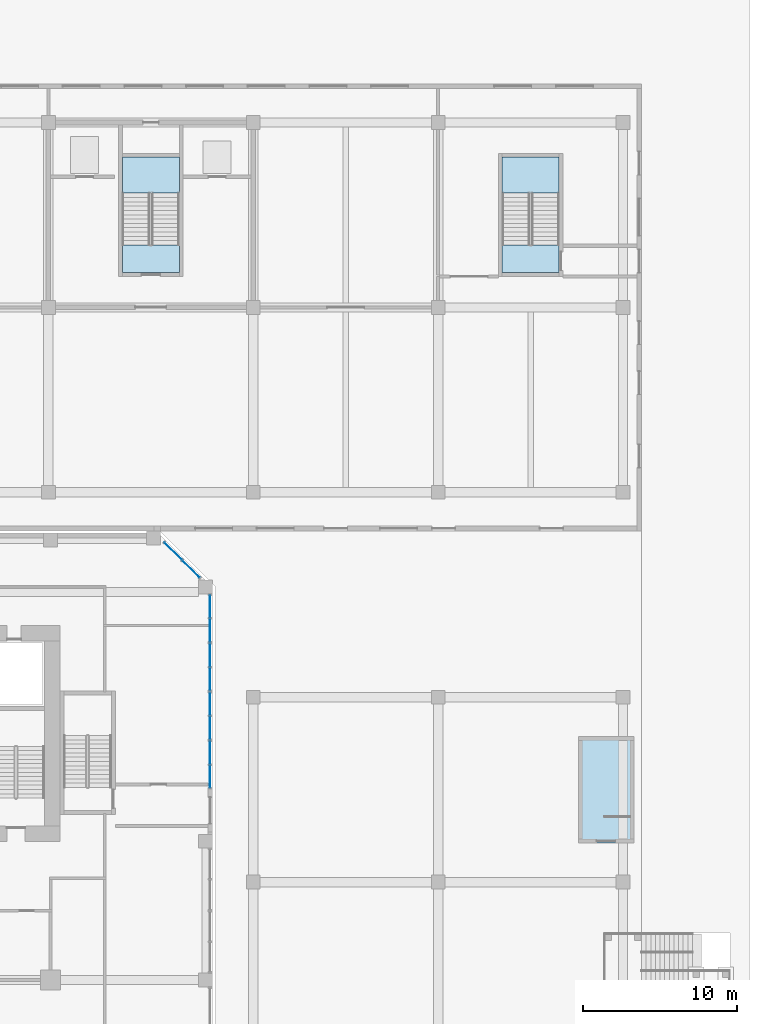
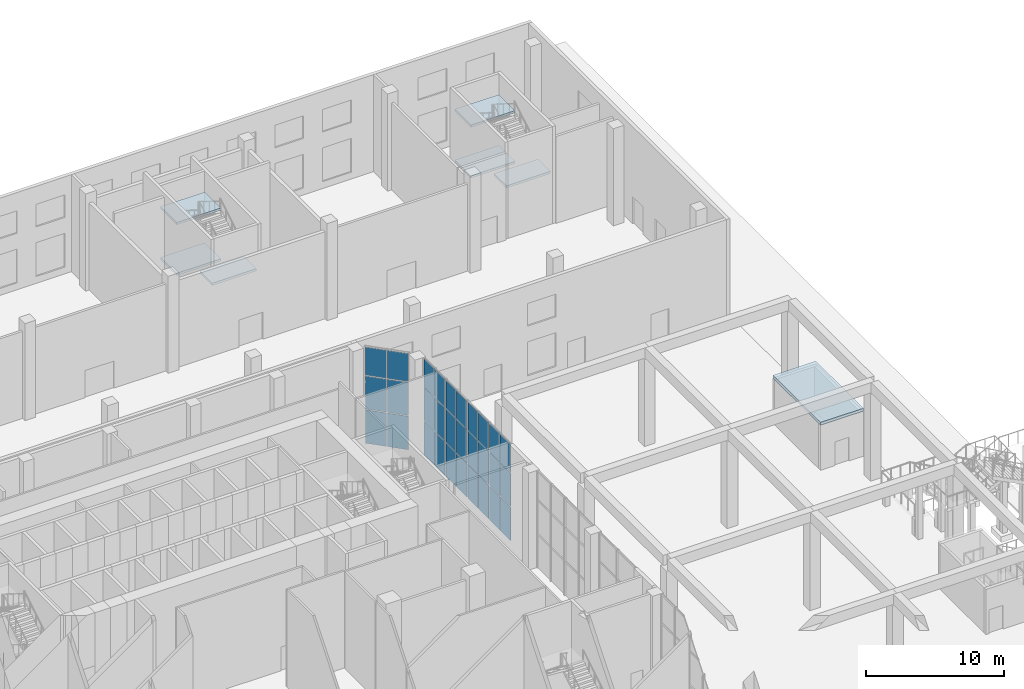
# One storey, part 17 of 43: 30 plates, 7 slabs, 7 elements without a shape of their own.
"""IFC4 building model written with IfcOpenShell, lengths in metres."""

import ifcopenshell
import ifcopenshell.guid

model = None  # the IFC model being written
_history = None  # IfcOwnerHistory: only IFC2X3 demands one
_inside = {}  # id of a spatial element -> (the spatial element, [elements in it])
_under = {}  # id of a project, library or spatial element -> (it, [spatial elements below it])
_declared = {}  # id of a project -> (the project, [libraries it declares])
_typed = {}  # id of a type object -> (the type object, [elements of that type])
_made_of = {}  # id of a material, layer set ... -> (it, [elements and type objects made of it])


def new_model(schema):
    """Start an empty IFC model of exactly this schema.

    Asked for "IFC4X3", IfcOpenShell would pick the latest addendum, in which some entities
    have other attributes; the version numbers below select the first issue.
    IFC2X3 requires an IfcOwnerHistory on every rooted entity: one is made here for all.
    """
    global model, _history
    if schema == "IFC4X3":
        model = ifcopenshell.file(schema_version=(4, 3, 0, 0))
    else:
        model = ifcopenshell.file(schema=schema)
    _inside.clear()
    _under.clear()
    _declared.clear()
    _typed.clear()
    _made_of.clear()
    _history = None
    if model.schema == "IFC2X3":
        org = make("IfcOrganization", Name="unknown")
        user = make(
            "IfcPersonAndOrganization",
            ThePerson=make("IfcPerson", FamilyName="unknown"),
            TheOrganization=org,
        )
        app = make(
            "IfcApplication",
            ApplicationDeveloper=org,
            Version="unknown",
            ApplicationFullName="unknown",
            ApplicationIdentifier="unknown",
        )
        _history = make(
            "IfcOwnerHistory",
            OwningUser=user,
            OwningApplication=app,
            ChangeAction="ADDED",
            CreationDate=0,
        )
    return model


def make(cls, **values):
    """One entity of the class cls with the attributes given. An attribute that is None is left unset."""
    return model.create_entity(
        cls, **{name: value for name, value in values.items() if value is not None}
    )


def rooted(cls, **values):
    """An entity with a GlobalId (a new one), such as an element, a storey or a relation."""
    return make(cls, GlobalId=ifcopenshell.guid.new(), OwnerHistory=_history, **values)


def si_unit(unit_type, name, prefix=None):
    """IfcSIUnit, for example si_unit("LENGTHUNIT", "METRE", prefix="MILLI")."""
    return make("IfcSIUnit", UnitType=unit_type, Prefix=prefix, Name=name)


def assignment(units):
    """IfcUnitAssignment: the units of a project."""
    return None if units is None else make("IfcUnitAssignment", Units=units)


def point(xyz):
    """IfcCartesianPoint."""
    return None if xyz is None else make("IfcCartesianPoint", Coordinates=xyz)


def direction(xyz):
    """IfcDirection."""
    return None if xyz is None else make("IfcDirection", DirectionRatios=xyz)


def frame(location, z_axis=None, x_axis=None):
    """IfcAxis2Placement3D, a coordinate frame: its origin and axes. An axis left out is left unset."""
    return make(
        "IfcAxis2Placement3D",
        Location=point(location),
        Axis=direction(z_axis),
        RefDirection=direction(x_axis),
    )


def frame_2d(location, x_axis=None):
    """IfcAxis2Placement2D, a coordinate frame in the plane: its origin and x axis."""
    return make(
        "IfcAxis2Placement2D", Location=point(location), RefDirection=direction(x_axis)
    )


def origin():
    """The frame at (0, 0, 0) with its axes left unset."""
    return frame((0.0, 0.0, 0.0))


def origin_2d():
    """The frame at (0, 0) in the plane with its x axis left unset."""
    return frame_2d((0.0, 0.0))


def place(relative_to, where):
    """IfcLocalPlacement: puts the frame where relative to a parent placement (None: the world)."""
    return make(
        "IfcLocalPlacement", PlacementRelTo=relative_to, RelativePlacement=where
    )


def context(
    kind, dimensions, precision=None, world=None, true_north=None, identifier=None
):
    """IfcGeometricRepresentationContext, for example the 3D "Model" context."""
    return make(
        "IfcGeometricRepresentationContext",
        ContextIdentifier=identifier,
        ContextType=kind,
        CoordinateSpaceDimension=dimensions,
        Precision=precision,
        WorldCoordinateSystem=world,
        TrueNorth=true_north,
    )


def subcontext(parent, identifier, kind, view, scale=None):
    """IfcGeometricRepresentationSubContext, for example "Body" below "Model"."""
    return make(
        "IfcGeometricRepresentationSubContext",
        ContextIdentifier=identifier,
        ContextType=kind,
        ParentContext=parent,
        TargetScale=scale,
        TargetView=view,
    )


def project(units=None, contexts=None):
    """IfcProject with its units and contexts."""
    return rooted(
        "IfcProject",
        Name="project",
        RepresentationContexts=contexts,
        UnitsInContext=assignment(units),
    )


def spatial(cls, under=None, at=None, **own):
    """A site, building, storey or space (cls), placed at a placement, below another one or the project."""
    s = rooted(cls, ObjectPlacement=at, **own)
    if under is not None:
        _under.setdefault(under.id(), (under, []))[1].append(s)
    return s


def polyline(points):
    """IfcPolyline through the points."""
    return make("IfcPolyline", Points=[point(p) for p in points])


def profile(cls, at=None, kind="AREA", **sizes):
    """A parametric profile (cls). Its sizes go by their IFC names, for example OverallWidth=200.0."""
    return make(cls, ProfileType=kind, Position=at, **sizes)


def rectangle(**sizes):
    """IfcRectangleProfileDef."""
    return profile("IfcRectangleProfileDef", **sizes)


def outline(outer, holes=None, kind="AREA"):
    """IfcArbitraryClosedProfileDef: a profile drawn as a closed curve; with holes, ...WithVoids."""
    if holes is None:
        return make("IfcArbitraryClosedProfileDef", ProfileType=kind, OuterCurve=outer)
    return make(
        "IfcArbitraryProfileDefWithVoids",
        ProfileType=kind,
        OuterCurve=outer,
        InnerCurves=holes,
    )


def extrude(swept, where, along, depth):
    """IfcExtrudedAreaSolid: the profile swept, set in the frame where, extruded along a direction by depth."""
    return make(
        "IfcExtrudedAreaSolid",
        SweptArea=swept,
        Position=where,
        ExtrudedDirection=direction(along),
        Depth=depth,
    )


def shape(context_of_items, identifier, shape_type, items):
    """IfcShapeRepresentation: the items that make up one representation, for example the "Body"."""
    return make(
        "IfcShapeRepresentation",
        ContextOfItems=context_of_items,
        RepresentationIdentifier=identifier,
        RepresentationType=shape_type,
        Items=items,
    )


def source(mapping_origin, context_of_items, identifier, shape_type, items):
    """IfcRepresentationMap: a shape defined once, which mapped items show again and again."""
    return make(
        "IfcRepresentationMap",
        MappingOrigin=mapping_origin,
        MappedRepresentation=shape(context_of_items, identifier, shape_type, items),
    )


def transform(
    local_origin,
    x_axis=None,
    y_axis=None,
    z_axis=None,
    scale=None,
    scale2=None,
    scale3=None,
    uniform=True,
):
    """IfcCartesianTransformationOperator3D, or its non-uniform kind. x_axis, y_axis, z_axis: its Axis1, 2, 3."""
    if uniform:
        return make(
            "IfcCartesianTransformationOperator3D",
            Axis1=direction(x_axis),
            Axis2=direction(y_axis),
            LocalOrigin=point(local_origin),
            Scale=scale,
            Axis3=direction(z_axis),
        )
    return make(
        "IfcCartesianTransformationOperator3DnonUniform",
        Axis1=direction(x_axis),
        Axis2=direction(y_axis),
        LocalOrigin=point(local_origin),
        Scale=scale,
        Axis3=direction(z_axis),
        Scale2=scale2,
        Scale3=scale3,
    )


def mapped(mapping_source, mapping_target):
    """IfcMappedItem: shows the shape of a source again, moved by a transform."""
    return make(
        "IfcMappedItem", MappingSource=mapping_source, MappingTarget=mapping_target
    )


def material(Name=None, Category=None):
    """IfcMaterial."""
    return make("IfcMaterial", Name=Name, Category=Category)


def layer(
    of_material, thickness, ventilated=None, Name=None, Category=None, Priority=None
):
    """IfcMaterialLayer: one layer of a wall or slab, of a material (None: an air gap)."""
    return make(
        "IfcMaterialLayer",
        Material=of_material,
        LayerThickness=thickness,
        IsVentilated=ventilated,
        Name=Name,
        Category=Category,
        Priority=Priority,
    )


def layer_set(layers, Name=None):
    """IfcMaterialLayerSet."""
    return make("IfcMaterialLayerSet", MaterialLayers=layers, LayerSetName=Name)


def made_of(thing, what):
    """Note that an element or type object is made of a material, layer set ...; save() writes the relation."""
    if what is not None:
        _made_of.setdefault(what.id(), (what, []))[1].append(thing)
    return thing


def type_object(cls, material=None, **own):
    """A type object (cls), such as IfcWallType, which elements share."""
    return made_of(rooted(cls, **own), material)


def element(
    cls,
    number,
    at=None,
    inside=None,
    cuts=None,
    type_object=None,
    material=None,
    context=None,
    identifier="Body",
    shape_type=None,
    held_by="IfcProductDefinitionShape",
    body=None,
    shapes=None,
    **own,
):
    """One element of the class cls, such as IfcWall. Its Tag is "e" and its number.

    at: its placement. inside: the storey or other place that contains it. cuts: it is an
    opening in that element (IfcRelVoidsElement). A single representation is given by context,
    identifier, shape_type and body (its items); several are given by shapes. held_by: the class
    of the entity that holds the representations. save() writes the other relations.
    """
    e = rooted(cls, Tag="e%d" % number, ObjectPlacement=at, **own)
    if body is not None:
        shapes = [shape(context, identifier, shape_type, body)]
    if shapes is not None:
        e.Representation = make(held_by, Representations=shapes)
    if inside is not None:
        _inside.setdefault(inside.id(), (inside, []))[1].append(e)
    if cuts is not None:
        rooted(
            "IfcRelVoidsElement", RelatingBuildingElement=cuts, RelatedOpeningElement=e
        )
    if type_object is not None:
        _typed.setdefault(type_object.id(), (type_object, []))[1].append(e)
    return made_of(e, material)


def aggregate(whole, parts):
    """IfcRelAggregates: a whole, such as a stair, and the parts it consists of."""
    return rooted("IfcRelAggregates", RelatingObject=whole, RelatedObjects=parts)


def save(model, path):
    """Write the relations noted so far, then the file.

    IfcRelAggregates (storeys below a building ...), IfcRelContainedInSpatialStructure (elements
    in a storey), IfcRelDefinesByType, IfcRelAssociatesMaterial and IfcRelDeclares: one each for
    every whole, place, type object, material and project.
    """
    for whole, parts in _under.values():
        aggregate(whole, parts)
    for where, things in _inside.values():
        rooted(
            "IfcRelContainedInSpatialStructure",
            RelatedElements=things,
            RelatingStructure=where,
        )
    for kind, things in _typed.values():
        rooted("IfcRelDefinesByType", RelatedObjects=things, RelatingType=kind)
    for what, things in _made_of.values():
        rooted("IfcRelAssociatesMaterial", RelatedObjects=things, RelatingMaterial=what)
    for by, libraries in _declared.values():
        rooted("IfcRelDeclares", RelatingContext=by, RelatedDefinitions=libraries)
    model.write(path)


model = new_model("IFC4")

# Units and contexts
model_context = context("Model", 3, precision=1e-05, world=origin(), true_north=direction((0.0, 1.0)))
body_context = subcontext(model_context, "Body", "Model", "MODEL_VIEW")
ifc_project = project(units=[si_unit("LENGTHUNIT", "METRE"), si_unit("AREAUNIT", "SQUARE_METRE"), si_unit("VOLUMEUNIT", "CUBIC_METRE"), si_unit("PLANEANGLEUNIT", "RADIAN"), si_unit("MASSUNIT", "GRAM", prefix="KILO")], contexts=[model_context])

# Site, building, storey
site_placement = place(None, origin())
site = spatial("IfcSite", under=ifc_project, at=site_placement, CompositionType="ELEMENT")
building_placement = place(site_placement, origin())
building = spatial("IfcBuilding", under=site, at=building_placement, Name="Kilnfold Tower and Market Hall", CompositionType="ELEMENT")
storey_placement = place(building_placement, origin())
storey = spatial("IfcBuildingStorey", under=building, at=storey_placement, Name="L00", CompositionType="ELEMENT", Elevation=0.0)

# Curtain wall, plates
ifc_material_1 = material(Name="Aluminium and double glazing", Category="aluminium")
curtain_wall_type = type_object("IfcCurtainWallType", Name="CW BASE PODIUM GLAZING", PredefinedType="NOTDEFINED", material=ifc_material_1)
curtain_wall_1_placement = place(storey_placement, origin())
curtain_wall_1 = element("IfcCurtainWall", 1, at=curtain_wall_1_placement, inside=storey, type_object=curtain_wall_type, Name="Curtain wall CW4 L00 E", PredefinedType="NOTDEFINED")
ifc_material_2 = material(Name="Double glazed unit")
ifc_layer_1 = layer(ifc_material_2, 0.035888671875)
ifc_layer_set_1 = layer_set([ifc_layer_1], Name="Double glazed unit")
plate_type = type_object("IfcPlateType", Name="GLAZING PANEL 36", PredefinedType="CURTAIN_PANEL", material=ifc_layer_set_1)
shared_shape_1 = source(origin(), body_context, "Body", "SweptSolid", [
    extrude(rectangle(XDim=1.476318359375, YDim=0.035888671875, at=origin_2d()), origin(), (0.0, 0.0, 1.0), 2.965087890625),
])
plate_1_placement = place(storey_placement, frame((27.85009765625, 12.2080078125, 0.0), z_axis=(0.0, 0.0, 1.0), x_axis=(0.0, 1.0, 0.0)))
plate_1 = element("IfcPlate", 2, at=plate_1_placement, type_object=plate_type, Name="CW4 panel 1.1", PredefinedType="CURTAIN_PANEL", context=body_context, shape_type="MappedRepresentation", body=[
    mapped(shared_shape_1, transform((0.0, 0.0, 0.0))),
])
plate_2_placement = place(storey_placement, frame((27.85009765625, 13.75439453125, 0.0), z_axis=(0.0, 0.0, 1.0), x_axis=(0.0, 1.0, 0.0)))
plate_2 = element("IfcPlate", 3, at=plate_2_placement, type_object=plate_type, Name="CW4 panel 2.1", PredefinedType="CURTAIN_PANEL", context=body_context, shape_type="MappedRepresentation", body=[
    mapped(shared_shape_1, transform((0.0, 0.0, 0.0))),
])

curtain_wall_2_placement = place(storey_placement, origin())
curtain_wall_2 = element("IfcCurtainWall", 4, at=curtain_wall_2_placement, inside=storey, type_object=curtain_wall_type, Name="Curtain wall CW4 L00 E", PredefinedType="NOTDEFINED")
plate_3_placement = place(storey_placement, frame((27.85009765625, 15.37060546875, 0.0), z_axis=(0.0, 0.0, 1.0), x_axis=(0.0, 1.0, 0.0)))
plate_3 = element("IfcPlate", 5, at=plate_3_placement, type_object=plate_type, Name="CW4 panel 1.1", PredefinedType="CURTAIN_PANEL", context=body_context, shape_type="MappedRepresentation", body=[
    mapped(shared_shape_1, transform((0.0, 0.0, 0.0))),
])
plate_4_placement = place(storey_placement, frame((27.85009765625, 16.9169921875, 0.0), z_axis=(0.0, 0.0, 1.0), x_axis=(0.0, 1.0, 0.0)))
plate_4 = element("IfcPlate", 6, at=plate_4_placement, type_object=plate_type, Name="CW4 panel 2.1", PredefinedType="CURTAIN_PANEL", context=body_context, shape_type="MappedRepresentation", body=[
    mapped(shared_shape_1, transform((0.0, 0.0, 0.0))),
])

curtain_wall_3_placement = place(storey_placement, origin())
curtain_wall_3 = element("IfcCurtainWall", 7, at=curtain_wall_3_placement, inside=storey, type_object=curtain_wall_type, Name="Curtain wall CW4 L00 E", PredefinedType="NOTDEFINED")
plate_5_placement = place(storey_placement, frame((27.85009765625, 18.533203125, 0.0), z_axis=(0.0, 0.0, 1.0), x_axis=(0.0, 1.0, 0.0)))
plate_5 = element("IfcPlate", 8, at=plate_5_placement, type_object=plate_type, Name="CW4 panel 1.1", PredefinedType="CURTAIN_PANEL", context=body_context, shape_type="MappedRepresentation", body=[
    mapped(shared_shape_1, transform((0.0, 0.0, 0.0))),
])
plate_6_placement = place(storey_placement, frame((27.85009765625, 20.079345703125, 0.0), z_axis=(0.0, 0.0, 1.0), x_axis=(0.0, 1.0, 0.0)))
plate_6 = element("IfcPlate", 9, at=plate_6_placement, type_object=plate_type, Name="CW4 panel 2.1", PredefinedType="CURTAIN_PANEL", context=body_context, shape_type="MappedRepresentation", body=[
    mapped(shared_shape_1, transform((0.0, 0.0, 0.0))),
])

curtain_wall_4_placement = place(storey_placement, origin())
curtain_wall_4 = element("IfcCurtainWall", 10, at=curtain_wall_4_placement, inside=storey, type_object=curtain_wall_type, Name="Curtain wall CW4 L00 E", PredefinedType="NOTDEFINED")
plate_7_placement = place(storey_placement, frame((27.85009765625, 21.695556640625, 0.0), z_axis=(0.0, 0.0, 1.0), x_axis=(0.0, 1.0, 0.0)))
plate_7 = element("IfcPlate", 11, at=plate_7_placement, type_object=plate_type, Name="CW4 panel 1.1", PredefinedType="CURTAIN_PANEL", context=body_context, shape_type="MappedRepresentation", body=[
    mapped(shared_shape_1, transform((0.0, 0.0, 0.0))),
])
plate_8_placement = place(storey_placement, frame((27.85009765625, 23.241943359375, 0.0), z_axis=(0.0, 0.0, 1.0), x_axis=(0.0, 1.0, 0.0)))
plate_8 = element("IfcPlate", 12, at=plate_8_placement, type_object=plate_type, Name="CW4 panel 2.1", PredefinedType="CURTAIN_PANEL", context=body_context, shape_type="MappedRepresentation", body=[
    mapped(shared_shape_1, transform((0.0, 0.0, 0.0))),
])

# Plate
shared_shape_2 = source(origin(), body_context, "Body", "SweptSolid", [
    extrude(rectangle(XDim=1.476318359375, YDim=0.035888671875, at=origin_2d()), origin(), (0.0, 0.0, 1.0), 2.929931640625),
])
plate_9_placement = place(storey_placement, frame((27.85009765625, 12.2080078125, 3.03515625), z_axis=(0.0, 0.0, 1.0), x_axis=(0.0, 1.0, 0.0)))
plate_9 = element("IfcPlate", 13, at=plate_9_placement, type_object=plate_type, Name="CW4 panel 1.2", PredefinedType="CURTAIN_PANEL", context=body_context, shape_type="MappedRepresentation", body=[
    mapped(shared_shape_2, transform((0.0, 0.0, 0.0))),
])

plate_10_placement = place(storey_placement, frame((27.85009765625, 13.75439453125, 3.03515625), z_axis=(0.0, 0.0, 1.0), x_axis=(0.0, 1.0, 0.0)))
plate_10 = element("IfcPlate", 14, at=plate_10_placement, type_object=plate_type, Name="CW4 panel 2.2", PredefinedType="CURTAIN_PANEL", context=body_context, shape_type="MappedRepresentation", body=[
    mapped(shared_shape_2, transform((0.0, 0.0, 0.0))),
])

plate_11_placement = place(storey_placement, frame((27.85009765625, 15.37060546875, 3.03515625), z_axis=(0.0, 0.0, 1.0), x_axis=(0.0, 1.0, 0.0)))
plate_11 = element("IfcPlate", 15, at=plate_11_placement, type_object=plate_type, Name="CW4 panel 1.2", PredefinedType="CURTAIN_PANEL", context=body_context, shape_type="MappedRepresentation", body=[
    mapped(shared_shape_2, transform((0.0, 0.0, 0.0))),
])

plate_12_placement = place(storey_placement, frame((27.85009765625, 16.9169921875, 3.03515625), z_axis=(0.0, 0.0, 1.0), x_axis=(0.0, 1.0, 0.0)))
plate_12 = element("IfcPlate", 16, at=plate_12_placement, type_object=plate_type, Name="CW4 panel 2.2", PredefinedType="CURTAIN_PANEL", context=body_context, shape_type="MappedRepresentation", body=[
    mapped(shared_shape_2, transform((0.0, 0.0, 0.0))),
])

plate_13_placement = place(storey_placement, frame((27.85009765625, 18.533203125, 3.03515625), z_axis=(0.0, 0.0, 1.0), x_axis=(0.0, 1.0, 0.0)))
plate_13 = element("IfcPlate", 17, at=plate_13_placement, type_object=plate_type, Name="CW4 panel 1.2", PredefinedType="CURTAIN_PANEL", context=body_context, shape_type="MappedRepresentation", body=[
    mapped(shared_shape_2, transform((0.0, 0.0, 0.0))),
])

plate_14_placement = place(storey_placement, frame((27.85009765625, 20.079345703125, 3.03515625), z_axis=(0.0, 0.0, 1.0), x_axis=(0.0, 1.0, 0.0)))
plate_14 = element("IfcPlate", 18, at=plate_14_placement, type_object=plate_type, Name="CW4 panel 2.2", PredefinedType="CURTAIN_PANEL", context=body_context, shape_type="MappedRepresentation", body=[
    mapped(shared_shape_2, transform((0.0, 0.0, 0.0))),
])

plate_15_placement = place(storey_placement, frame((27.85009765625, 21.695556640625, 3.03515625), z_axis=(0.0, 0.0, 1.0), x_axis=(0.0, 1.0, 0.0)))
plate_15 = element("IfcPlate", 19, at=plate_15_placement, type_object=plate_type, Name="CW4 panel 1.2", PredefinedType="CURTAIN_PANEL", context=body_context, shape_type="MappedRepresentation", body=[
    mapped(shared_shape_2, transform((0.0, 0.0, 0.0))),
])

plate_16_placement = place(storey_placement, frame((27.85009765625, 23.241943359375, 3.03515625), z_axis=(0.0, 0.0, 1.0), x_axis=(0.0, 1.0, 0.0)))
plate_16 = element("IfcPlate", 20, at=plate_16_placement, type_object=plate_type, Name="CW4 panel 2.2", PredefinedType="CURTAIN_PANEL", context=body_context, shape_type="MappedRepresentation", body=[
    mapped(shared_shape_2, transform((0.0, 0.0, 0.0))),
])

shared_shape_3 = source(origin(), body_context, "Body", "SweptSolid", [
    extrude(rectangle(XDim=1.476318359375, YDim=0.035888671875, at=origin_2d()), origin(), (0.0, 0.0, 1.0), 2.4951171875),
])
plate_17_placement = place(storey_placement, frame((27.85009765625, 12.2080078125, 6.034912109375), z_axis=(0.0, 0.0, 1.0), x_axis=(0.0, 1.0, 0.0)))
plate_17 = element("IfcPlate", 21, at=plate_17_placement, type_object=plate_type, Name="CW4 panel 1.3", PredefinedType="CURTAIN_PANEL", context=body_context, shape_type="MappedRepresentation", body=[
    mapped(shared_shape_3, transform((0.0, 0.0, 0.0))),
])

plate_18_placement = place(storey_placement, frame((27.85009765625, 13.75439453125, 6.034912109375), z_axis=(0.0, 0.0, 1.0), x_axis=(0.0, 1.0, 0.0)))
plate_18 = element("IfcPlate", 22, at=plate_18_placement, type_object=plate_type, Name="CW4 panel 2.3", PredefinedType="CURTAIN_PANEL", context=body_context, shape_type="MappedRepresentation", body=[
    mapped(shared_shape_3, transform((0.0, 0.0, 0.0))),
])

aggregate(curtain_wall_1, [plate_1, plate_9, plate_17, plate_2, plate_10, plate_18])

plate_19_placement = place(storey_placement, frame((27.85009765625, 15.37060546875, 6.034912109375), z_axis=(0.0, 0.0, 1.0), x_axis=(0.0, 1.0, 0.0)))
plate_19 = element("IfcPlate", 23, at=plate_19_placement, type_object=plate_type, Name="CW4 panel 1.3", PredefinedType="CURTAIN_PANEL", context=body_context, shape_type="MappedRepresentation", body=[
    mapped(shared_shape_3, transform((0.0, 0.0, 0.0))),
])

plate_20_placement = place(storey_placement, frame((27.85009765625, 16.9169921875, 6.034912109375), z_axis=(0.0, 0.0, 1.0), x_axis=(0.0, 1.0, 0.0)))
plate_20 = element("IfcPlate", 24, at=plate_20_placement, type_object=plate_type, Name="CW4 panel 2.3", PredefinedType="CURTAIN_PANEL", context=body_context, shape_type="MappedRepresentation", body=[
    mapped(shared_shape_3, transform((0.0, 0.0, 0.0))),
])

aggregate(curtain_wall_2, [plate_3, plate_11, plate_19, plate_4, plate_12, plate_20])

plate_21_placement = place(storey_placement, frame((27.85009765625, 18.533203125, 6.034912109375), z_axis=(0.0, 0.0, 1.0), x_axis=(0.0, 1.0, 0.0)))
plate_21 = element("IfcPlate", 25, at=plate_21_placement, type_object=plate_type, Name="CW4 panel 1.3", PredefinedType="CURTAIN_PANEL", context=body_context, shape_type="MappedRepresentation", body=[
    mapped(shared_shape_3, transform((0.0, 0.0, 0.0))),
])

plate_22_placement = place(storey_placement, frame((27.85009765625, 20.079345703125, 6.034912109375), z_axis=(0.0, 0.0, 1.0), x_axis=(0.0, 1.0, 0.0)))
plate_22 = element("IfcPlate", 26, at=plate_22_placement, type_object=plate_type, Name="CW4 panel 2.3", PredefinedType="CURTAIN_PANEL", context=body_context, shape_type="MappedRepresentation", body=[
    mapped(shared_shape_3, transform((0.0, 0.0, 0.0))),
])

aggregate(curtain_wall_3, [plate_5, plate_13, plate_21, plate_6, plate_14, plate_22])

plate_23_placement = place(storey_placement, frame((27.85009765625, 21.695556640625, 6.034912109375), z_axis=(0.0, 0.0, 1.0), x_axis=(0.0, 1.0, 0.0)))
plate_23 = element("IfcPlate", 27, at=plate_23_placement, type_object=plate_type, Name="CW4 panel 1.3", PredefinedType="CURTAIN_PANEL", context=body_context, shape_type="MappedRepresentation", body=[
    mapped(shared_shape_3, transform((0.0, 0.0, 0.0))),
])

plate_24_placement = place(storey_placement, frame((27.85009765625, 23.241943359375, 6.034912109375), z_axis=(0.0, 0.0, 1.0), x_axis=(0.0, 1.0, 0.0)))
plate_24 = element("IfcPlate", 28, at=plate_24_placement, type_object=plate_type, Name="CW4 panel 2.3", PredefinedType="CURTAIN_PANEL", context=body_context, shape_type="MappedRepresentation", body=[
    mapped(shared_shape_3, transform((0.0, 0.0, 0.0))),
])

aggregate(curtain_wall_4, [plate_7, plate_15, plate_23, plate_8, plate_16, plate_24])

# Curtain wall, plates
curtain_wall_5_placement = place(storey_placement, origin())
curtain_wall_5 = element("IfcCurtainWall", 29, at=curtain_wall_5_placement, inside=storey, type_object=curtain_wall_type, Name="Curtain wall CW4 L00 NE", PredefinedType="NOTDEFINED")
shared_shape_4 = source(origin(), body_context, "Body", "SweptSolid", [
    extrude(rectangle(XDim=1.574462890625, YDim=0.035888671875, at=origin_2d()), origin(), (0.0, 0.0, 1.0), 2.965087890625),
])
plate_25_placement = place(storey_placement, frame((26.61279296875, 25.675048828125, 0.0), z_axis=(0.0, 0.0, 1.0), x_axis=(-0.707091894879, 0.707121667181, 0.0)))
plate_25 = element("IfcPlate", 30, at=plate_25_placement, type_object=plate_type, Name="CW4 panel 1.1", PredefinedType="CURTAIN_PANEL", context=body_context, shape_type="MappedRepresentation", body=[
    mapped(shared_shape_4, transform((0.0, 0.0, 0.0))),
])
plate_26_placement = place(storey_placement, frame((25.449951171875, 26.837890625, 0.0), z_axis=(0.0, 0.0, 1.0), x_axis=(-0.707091894879, 0.707121667181, 0.0)))
plate_26 = element("IfcPlate", 31, at=plate_26_placement, type_object=plate_type, Name="CW4 panel 2.1", PredefinedType="CURTAIN_PANEL", context=body_context, shape_type="MappedRepresentation", body=[
    mapped(shared_shape_4, transform((0.0, 0.0, 0.0))),
])
shared_shape_5 = source(origin(), body_context, "Body", "SweptSolid", [
    extrude(rectangle(XDim=1.574462890625, YDim=0.035888671875, at=origin_2d()), origin(), (0.0, 0.0, 1.0), 2.929931640625),
])
plate_27_placement = place(storey_placement, frame((26.61279296875, 25.675048828125, 3.03515625), z_axis=(0.0, 0.0, 1.0), x_axis=(-0.707091894879, 0.707121667181, 0.0)))
plate_27 = element("IfcPlate", 32, at=plate_27_placement, type_object=plate_type, Name="CW4 panel 1.2", PredefinedType="CURTAIN_PANEL", context=body_context, shape_type="MappedRepresentation", body=[
    mapped(shared_shape_5, transform((0.0, 0.0, 0.0))),
])
plate_28_placement = place(storey_placement, frame((25.449951171875, 26.837890625, 3.03515625), z_axis=(0.0, 0.0, 1.0), x_axis=(-0.707091894879, 0.707121667181, 0.0)))
plate_28 = element("IfcPlate", 33, at=plate_28_placement, type_object=plate_type, Name="CW4 panel 2.2", PredefinedType="CURTAIN_PANEL", context=body_context, shape_type="MappedRepresentation", body=[
    mapped(shared_shape_5, transform((0.0, 0.0, 0.0))),
])
shared_shape_6 = source(origin(), body_context, "Body", "SweptSolid", [
    extrude(rectangle(XDim=1.574462890625, YDim=0.035888671875, at=origin_2d()), origin(), (0.0, 0.0, 1.0), 2.4951171875),
])
plate_29_placement = place(storey_placement, frame((26.61279296875, 25.675048828125, 6.034912109375), z_axis=(0.0, 0.0, 1.0), x_axis=(-0.707091894879, 0.707121667181, 0.0)))
plate_29 = element("IfcPlate", 34, at=plate_29_placement, type_object=plate_type, Name="CW4 panel 1.3", PredefinedType="CURTAIN_PANEL", context=body_context, shape_type="MappedRepresentation", body=[
    mapped(shared_shape_6, transform((0.0, 0.0, 0.0))),
])
plate_30_placement = place(storey_placement, frame((25.449951171875, 26.837890625, 6.034912109375), z_axis=(0.0, 0.0, 1.0), x_axis=(-0.707091894879, 0.707121667181, 0.0)))
plate_30 = element("IfcPlate", 35, at=plate_30_placement, type_object=plate_type, Name="CW4 panel 2.3", PredefinedType="CURTAIN_PANEL", context=body_context, shape_type="MappedRepresentation", body=[
    mapped(shared_shape_6, transform((0.0, 0.0, 0.0))),
])
aggregate(curtain_wall_5, [plate_25, plate_27, plate_29, plate_26, plate_28, plate_30])

# Stair, slabs
ifc_material_3 = material(Name="Concrete C40/50", Category="concrete")
stair_type = type_object("IfcStairType", Name="HALL STAIR", PredefinedType="HALF_TURN_STAIR", material=ifc_material_3)
stair_1_placement = place(storey_placement, origin())
stair_1 = element("IfcStair", 36, at=stair_1_placement, inside=storey, type_object=stair_type, Name="L00 MS5", PredefinedType="HALF_TURN_STAIR")
ifc_material_4 = material(Name="Concrete C40/50", Category="concrete")
ifc_layer_2 = layer(ifc_material_4, 0.199951171875)
ifc_layer_set_2 = layer_set([ifc_layer_2], Name="Concrete C40/50")
slab_type_1 = type_object("IfcSlabType", Name="HALL STAIR LANDING", PredefinedType="LANDING", material=ifc_layer_set_2)
shared_shape_7 = source(origin(), body_context, "Body", "SweptSolid", [
    extrude(outline(polyline([(25.85009765625, 50.06005859375), (25.85009765625, 52.39990234375), (22.14990234375, 52.39990234375), (22.14990234375, 50.06005859375), (25.85009765625, 50.06005859375)])), origin(), (0.0, 0.0, 1.0), 0.199951171875),
])
slab_1_placement = place(storey_placement, frame((0.0, 0.0, 2.050048828125)))
slab_1 = element("IfcSlab", 37, at=slab_1_placement, type_object=slab_type_1, Name="MS5 landing 1", PredefinedType="LANDING", context=body_context, shape_type="MappedRepresentation", body=[
    mapped(shared_shape_7, transform((0.0, 0.0, 0.0))),
])
slab_2_placement = place(storey_placement, frame((0.0, 0.0, 6.550048828125)))
slab_2 = element("IfcSlab", 38, at=slab_2_placement, type_object=slab_type_1, Name="MS5 landing 3", PredefinedType="LANDING", context=body_context, shape_type="MappedRepresentation", body=[
    mapped(shared_shape_7, transform((0.0, 0.0, 0.0))),
])
shared_shape_8 = source(origin(), body_context, "Body", "SweptSolid", [
    extrude(outline(polyline([(25.85009765625, 44.89990234375), (25.85009765625, 46.699951171875), (22.14990234375, 46.699951171875), (22.14990234375, 44.89990234375), (25.85009765625, 44.89990234375)])), origin(), (0.0, 0.0, 1.0), 0.199951171875),
])
slab_3_placement = place(storey_placement, frame((0.0, 0.0, 4.300048828125)))
slab_3 = element("IfcSlab", 39, at=slab_3_placement, type_object=slab_type_1, Name="MS5 landing 2", PredefinedType="LANDING", context=body_context, shape_type="MappedRepresentation", body=[
    mapped(shared_shape_8, transform((0.0, 0.0, 0.0))),
])
aggregate(stair_1, [slab_1, slab_3, slab_2])

stair_2_placement = place(storey_placement, origin())
stair_2 = element("IfcStair", 40, at=stair_2_placement, inside=storey, type_object=stair_type, Name="L00 MS6", PredefinedType="HALF_TURN_STAIR")
shared_shape_9 = source(origin(), body_context, "Body", "SweptSolid", [
    extrude(outline(polyline([(50.5, 50.06005859375), (50.5, 52.39990234375), (46.800048828125, 52.39990234375), (46.800048828125, 50.06005859375), (50.5, 50.06005859375)])), origin(), (0.0, 0.0, 1.0), 0.199951171875),
])
slab_4_placement = place(storey_placement, frame((0.0, 0.0, 2.050048828125)))
slab_4 = element("IfcSlab", 41, at=slab_4_placement, type_object=slab_type_1, Name="MS6 landing 1", PredefinedType="LANDING", context=body_context, shape_type="MappedRepresentation", body=[
    mapped(shared_shape_9, transform((0.0, 0.0, 0.0))),
])
slab_5_placement = place(storey_placement, frame((0.0, 0.0, 6.550048828125)))
slab_5 = element("IfcSlab", 42, at=slab_5_placement, type_object=slab_type_1, Name="MS6 landing 3", PredefinedType="LANDING", context=body_context, shape_type="MappedRepresentation", body=[
    mapped(shared_shape_9, transform((0.0, 0.0, 0.0))),
])
shared_shape_10 = source(origin(), body_context, "Body", "SweptSolid", [
    extrude(outline(polyline([(50.5, 44.89990234375), (50.5, 46.699951171875), (46.800048828125, 46.699951171875), (46.800048828125, 44.89990234375), (50.5, 44.89990234375)])), origin(), (0.0, 0.0, 1.0), 0.199951171875),
])
slab_6_placement = place(storey_placement, frame((0.0, 0.0, 4.300048828125)))
slab_6 = element("IfcSlab", 43, at=slab_6_placement, type_object=slab_type_1, Name="MS6 landing 2", PredefinedType="LANDING", context=body_context, shape_type="MappedRepresentation", body=[
    mapped(shared_shape_10, transform((0.0, 0.0, 0.0))),
])
aggregate(stair_2, [slab_4, slab_6, slab_5])

# Slab
ifc_material_5 = material(Name="Concrete C40/50", Category="concrete")
ifc_layer_3 = layer(ifc_material_5, 0.25)
ifc_layer_set_3 = layer_set([ifc_layer_3], Name="Concrete C40/50")
slab_type_2 = type_object("IfcSlabType", Name="CAR PARK STAIR HEAD SLAB 250", PredefinedType="ROOF", material=ifc_layer_set_3)
shared_shape_11 = source(origin(), body_context, "Body", "SweptSolid", [
    extrude(outline(polyline([(51.75, 7.89990234375), (55.35009765625, 7.89990234375), (55.35009765625, 14.800048828125), (51.75, 14.800048828125), (51.75, 7.89990234375)])), origin(), (0.0, 0.0, 1.0), 0.25),
])
slab_7_placement = place(storey_placement, frame((0.0, 0.0, 4.0)))
element("IfcSlab", 44, at=slab_7_placement, inside=storey, type_object=slab_type_2, Name="Stair CS4 head slab", PredefinedType="ROOF", context=body_context, shape_type="MappedRepresentation", body=[
    mapped(shared_shape_11, transform((0.0, 0.0, 0.0))),
])

save(model, "model.ifc")
